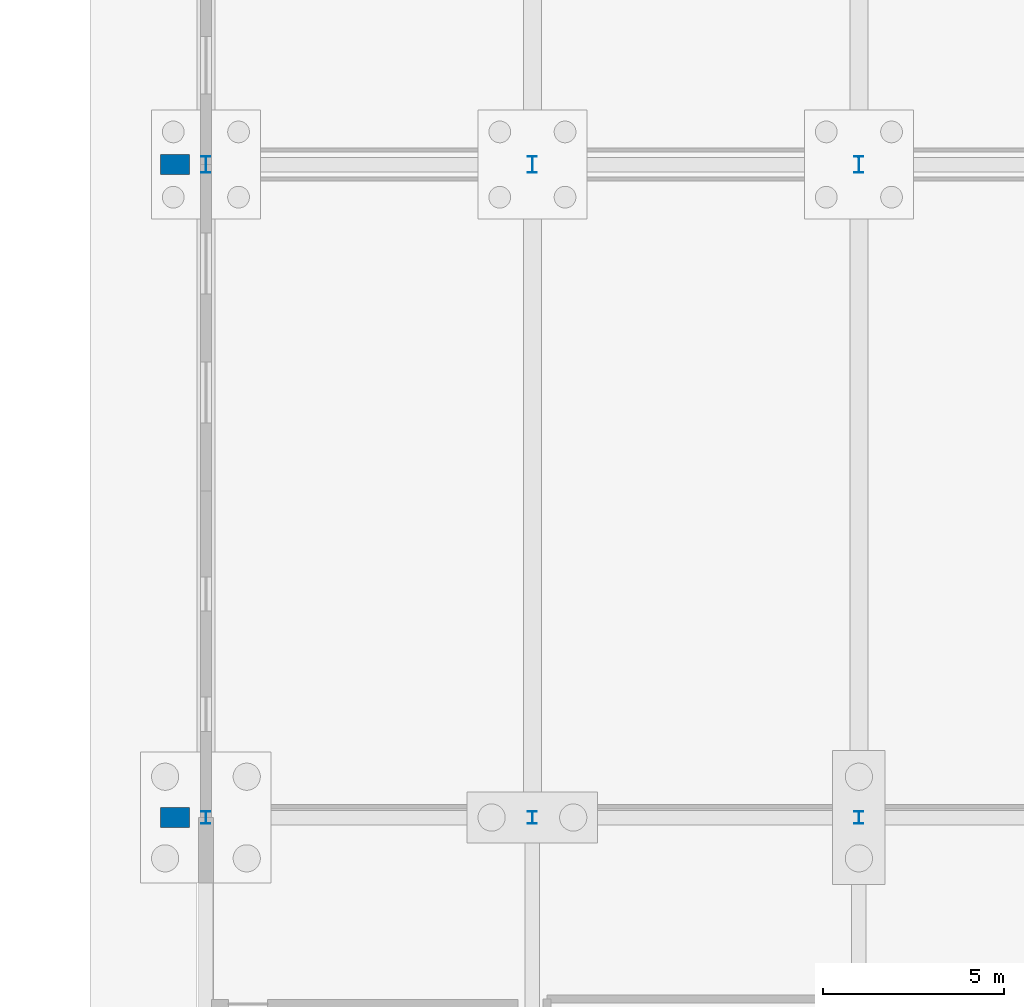
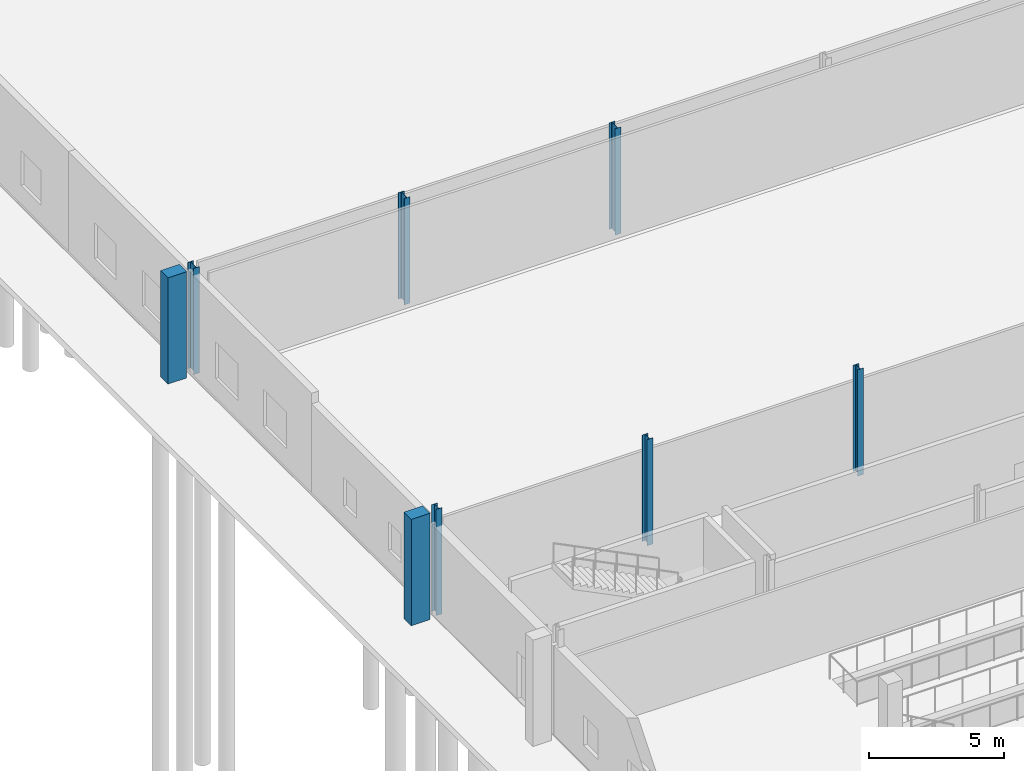
# One storey, part 23 of 112: 8 columns.
"""IFC4 building model written with IfcOpenShell, lengths in metres."""

import ifcopenshell
import ifcopenshell.guid

model = None  # the IFC model being written
_history = None  # IfcOwnerHistory: only IFC2X3 demands one
_inside = {}  # id of a spatial element -> (the spatial element, [elements in it])
_under = {}  # id of a project, library or spatial element -> (it, [spatial elements below it])
_declared = {}  # id of a project -> (the project, [libraries it declares])
_typed = {}  # id of a type object -> (the type object, [elements of that type])
_made_of = {}  # id of a material, layer set ... -> (it, [elements and type objects made of it])


def new_model(schema):
    """Start an empty IFC model of exactly this schema.

    Asked for "IFC4X3", IfcOpenShell would pick the latest addendum, in which some entities
    have other attributes; the version numbers below select the first issue.
    IFC2X3 requires an IfcOwnerHistory on every rooted entity: one is made here for all.
    """
    global model, _history
    if schema == "IFC4X3":
        model = ifcopenshell.file(schema_version=(4, 3, 0, 0))
    else:
        model = ifcopenshell.file(schema=schema)
    _inside.clear()
    _under.clear()
    _declared.clear()
    _typed.clear()
    _made_of.clear()
    _history = None
    if model.schema == "IFC2X3":
        org = make("IfcOrganization", Name="unknown")
        user = make(
            "IfcPersonAndOrganization",
            ThePerson=make("IfcPerson", FamilyName="unknown"),
            TheOrganization=org,
        )
        app = make(
            "IfcApplication",
            ApplicationDeveloper=org,
            Version="unknown",
            ApplicationFullName="unknown",
            ApplicationIdentifier="unknown",
        )
        _history = make(
            "IfcOwnerHistory",
            OwningUser=user,
            OwningApplication=app,
            ChangeAction="ADDED",
            CreationDate=0,
        )
    return model


def make(cls, **values):
    """One entity of the class cls with the attributes given. An attribute that is None is left unset."""
    return model.create_entity(
        cls, **{name: value for name, value in values.items() if value is not None}
    )


def rooted(cls, **values):
    """An entity with a GlobalId (a new one), such as an element, a storey or a relation."""
    return make(cls, GlobalId=ifcopenshell.guid.new(), OwnerHistory=_history, **values)


def si_unit(unit_type, name, prefix=None):
    """IfcSIUnit, for example si_unit("LENGTHUNIT", "METRE", prefix="MILLI")."""
    return make("IfcSIUnit", UnitType=unit_type, Prefix=prefix, Name=name)


def assignment(units):
    """IfcUnitAssignment: the units of a project."""
    return None if units is None else make("IfcUnitAssignment", Units=units)


def point(xyz):
    """IfcCartesianPoint."""
    return None if xyz is None else make("IfcCartesianPoint", Coordinates=xyz)


def direction(xyz):
    """IfcDirection."""
    return None if xyz is None else make("IfcDirection", DirectionRatios=xyz)


def frame(location, z_axis=None, x_axis=None):
    """IfcAxis2Placement3D, a coordinate frame: its origin and axes. An axis left out is left unset."""
    return make(
        "IfcAxis2Placement3D",
        Location=point(location),
        Axis=direction(z_axis),
        RefDirection=direction(x_axis),
    )


def frame_2d(location, x_axis=None):
    """IfcAxis2Placement2D, a coordinate frame in the plane: its origin and x axis."""
    return make(
        "IfcAxis2Placement2D", Location=point(location), RefDirection=direction(x_axis)
    )


def origin():
    """The frame at (0, 0, 0) with its axes left unset."""
    return frame((0.0, 0.0, 0.0))


def origin_2d():
    """The frame at (0, 0) in the plane with its x axis left unset."""
    return frame_2d((0.0, 0.0))


def place(relative_to, where):
    """IfcLocalPlacement: puts the frame where relative to a parent placement (None: the world)."""
    return make(
        "IfcLocalPlacement", PlacementRelTo=relative_to, RelativePlacement=where
    )


def context(
    kind, dimensions, precision=None, world=None, true_north=None, identifier=None
):
    """IfcGeometricRepresentationContext, for example the 3D "Model" context."""
    return make(
        "IfcGeometricRepresentationContext",
        ContextIdentifier=identifier,
        ContextType=kind,
        CoordinateSpaceDimension=dimensions,
        Precision=precision,
        WorldCoordinateSystem=world,
        TrueNorth=true_north,
    )


def subcontext(parent, identifier, kind, view, scale=None):
    """IfcGeometricRepresentationSubContext, for example "Body" below "Model"."""
    return make(
        "IfcGeometricRepresentationSubContext",
        ContextIdentifier=identifier,
        ContextType=kind,
        ParentContext=parent,
        TargetScale=scale,
        TargetView=view,
    )


def project(units=None, contexts=None):
    """IfcProject with its units and contexts."""
    return rooted(
        "IfcProject",
        Name="project",
        RepresentationContexts=contexts,
        UnitsInContext=assignment(units),
    )


def spatial(cls, under=None, at=None, **own):
    """A site, building, storey or space (cls), placed at a placement, below another one or the project."""
    s = rooted(cls, ObjectPlacement=at, **own)
    if under is not None:
        _under.setdefault(under.id(), (under, []))[1].append(s)
    return s


def profile(cls, at=None, kind="AREA", **sizes):
    """A parametric profile (cls). Its sizes go by their IFC names, for example OverallWidth=200.0."""
    return make(cls, ProfileType=kind, Position=at, **sizes)


def rectangle(**sizes):
    """IfcRectangleProfileDef."""
    return profile("IfcRectangleProfileDef", **sizes)


def i_section(**sizes):
    """IfcIShapeProfileDef."""
    return profile("IfcIShapeProfileDef", **sizes)


def extrude(swept, where, along, depth):
    """IfcExtrudedAreaSolid: the profile swept, set in the frame where, extruded along a direction by depth."""
    return make(
        "IfcExtrudedAreaSolid",
        SweptArea=swept,
        Position=where,
        ExtrudedDirection=direction(along),
        Depth=depth,
    )


def shape(context_of_items, identifier, shape_type, items):
    """IfcShapeRepresentation: the items that make up one representation, for example the "Body"."""
    return make(
        "IfcShapeRepresentation",
        ContextOfItems=context_of_items,
        RepresentationIdentifier=identifier,
        RepresentationType=shape_type,
        Items=items,
    )


def material(Name=None, Category=None):
    """IfcMaterial."""
    return make("IfcMaterial", Name=Name, Category=Category)


def material_profile(
    of_material, cross_section, Name=None, Category=None, Priority=None
):
    """IfcMaterialProfile: a cross section and its material."""
    return make(
        "IfcMaterialProfile",
        Name=Name,
        Material=of_material,
        Profile=cross_section,
        Priority=Priority,
        Category=Category,
    )


def profile_set(profiles, Name=None, composite=None):
    """IfcMaterialProfileSet."""
    return make(
        "IfcMaterialProfileSet",
        Name=Name,
        MaterialProfiles=profiles,
        CompositeProfile=composite,
    )


def made_of(thing, what):
    """Note that an element or type object is made of a material, layer set ...; save() writes the relation."""
    if what is not None:
        _made_of.setdefault(what.id(), (what, []))[1].append(thing)
    return thing


def type_object(cls, material=None, **own):
    """A type object (cls), such as IfcWallType, which elements share."""
    return made_of(rooted(cls, **own), material)


def element(
    cls,
    number,
    at=None,
    inside=None,
    cuts=None,
    type_object=None,
    material=None,
    context=None,
    identifier="Body",
    shape_type=None,
    held_by="IfcProductDefinitionShape",
    body=None,
    shapes=None,
    **own,
):
    """One element of the class cls, such as IfcWall. Its Tag is "e" and its number.

    at: its placement. inside: the storey or other place that contains it. cuts: it is an
    opening in that element (IfcRelVoidsElement). A single representation is given by context,
    identifier, shape_type and body (its items); several are given by shapes. held_by: the class
    of the entity that holds the representations. save() writes the other relations.
    """
    e = rooted(cls, Tag="e%d" % number, ObjectPlacement=at, **own)
    if body is not None:
        shapes = [shape(context, identifier, shape_type, body)]
    if shapes is not None:
        e.Representation = make(held_by, Representations=shapes)
    if inside is not None:
        _inside.setdefault(inside.id(), (inside, []))[1].append(e)
    if cuts is not None:
        rooted(
            "IfcRelVoidsElement", RelatingBuildingElement=cuts, RelatedOpeningElement=e
        )
    if type_object is not None:
        _typed.setdefault(type_object.id(), (type_object, []))[1].append(e)
    return made_of(e, material)


def aggregate(whole, parts):
    """IfcRelAggregates: a whole, such as a stair, and the parts it consists of."""
    return rooted("IfcRelAggregates", RelatingObject=whole, RelatedObjects=parts)


def save(model, path):
    """Write the relations noted so far, then the file.

    IfcRelAggregates (storeys below a building ...), IfcRelContainedInSpatialStructure (elements
    in a storey), IfcRelDefinesByType, IfcRelAssociatesMaterial and IfcRelDeclares: one each for
    every whole, place, type object, material and project.
    """
    for whole, parts in _under.values():
        aggregate(whole, parts)
    for where, things in _inside.values():
        rooted(
            "IfcRelContainedInSpatialStructure",
            RelatedElements=things,
            RelatingStructure=where,
        )
    for kind, things in _typed.values():
        rooted("IfcRelDefinesByType", RelatedObjects=things, RelatingType=kind)
    for what, things in _made_of.values():
        rooted("IfcRelAssociatesMaterial", RelatedObjects=things, RelatingMaterial=what)
    for by, libraries in _declared.values():
        rooted("IfcRelDeclares", RelatingContext=by, RelatedDefinitions=libraries)
    model.write(path)


model = new_model("IFC4")

# Units and contexts
model_context = context("Model", 3, precision=1e-05, world=origin(), true_north=direction((0.0, 1.0)))
body_context = subcontext(model_context, "Body", "Model", "MODEL_VIEW")
ifc_project = project(units=[si_unit("LENGTHUNIT", "METRE"), si_unit("AREAUNIT", "SQUARE_METRE"), si_unit("VOLUMEUNIT", "CUBIC_METRE"), si_unit("PLANEANGLEUNIT", "RADIAN"), si_unit("MASSUNIT", "GRAM", prefix="KILO")], contexts=[model_context])

# Site, building, storey
site_placement = place(None, origin())
site = spatial("IfcSite", under=ifc_project, at=site_placement, CompositionType="ELEMENT")
building_placement = place(site_placement, origin())
building = spatial("IfcBuilding", under=site, at=building_placement, Name="Tharagai Park Tramway Depot", CompositionType="ELEMENT")
storey_placement = place(building_placement, origin())
storey = spatial("IfcBuildingStorey", under=building, at=storey_placement, Name="L00", CompositionType="ELEMENT", Elevation=0.0)

# Columns
ifc_material_1 = material(Name="Steel E350", Category="steel")
ifc_material_profile_1 = material_profile(ifc_material_1, i_section(OverallWidth=0.25, OverallDepth=0.449951171875, WebThickness=0.01123046875, FlangeThickness=0.013671875, FilletRadius=0.014892578125, at=origin_2d()), Name="ISHB 450")
ifc_profile_set_1 = profile_set([ifc_material_profile_1], Name="Steel E350")
column_type_1 = type_object("IfcColumnType", Name="CL-01", PredefinedType="COLUMN", material=ifc_profile_set_1)
for number, where, z_axis, x_axis, name in (
    (1, (0.0, 117.0, 0.0), (0.0, 0.0, 1.0), (1.0, 0.0, 0.0), "L00 Structural Column CL-01 (0,117)"),
    (2, (9.0, 117.0, 0.0), (0.0, 0.0, 1.0), (1.0, 0.0, 0.0), "L00 Structural Column CL-01 (9,117)"),
    (3, (18.0, 117.0, 0.0), (0.0, 0.0, 1.0), (1.0, 0.0, 0.0), "L00 Structural Column CL-01 (18,117)"),
):
    element("IfcColumn", number, at=place(storey_placement, frame(where, z_axis=z_axis, x_axis=x_axis)), inside=storey, type_object=column_type_1, Name=name, PredefinedType="COLUMN", context=body_context, shape_type="SweptSolid", body=[
        extrude(i_section(OverallWidth=0.25, OverallDepth=0.449951171875, WebThickness=0.01123046875, FlangeThickness=0.013671875, FilletRadius=0.014892578125, at=origin_2d()), origin(), (0.0, 0.0, 1.0), 4.800048828125),
    ])
ifc_material_profile_2 = material_profile(ifc_material_1, i_section(OverallWidth=0.25, OverallDepth=0.35009765625, WebThickness=0.010009765625, FlangeThickness=0.01171875, FilletRadius=0.011962890625, at=origin_2d()), Name="ISHB 350")
ifc_profile_set_2 = profile_set([ifc_material_profile_2], Name="Steel E350")
column_type_2 = type_object("IfcColumnType", Name="CL-09", PredefinedType="COLUMN", material=ifc_profile_set_2)
for number, where, z_axis, x_axis, name in (
    (4, (0.0, 99.0, 0.0), (0.0, 0.0, 1.0), (1.0, 0.0, 0.0), "L00 Structural Column CL-09 (0,99)"),
    (5, (9.0, 99.0, 0.0), (0.0, 0.0, 1.0), (1.0, 0.0, 0.0), "L00 Structural Column CL-09 (9,99)"),
    (6, (18.0, 99.0, 0.0), (0.0, 0.0, 1.0), (1.0, 0.0, 0.0), "L00 Structural Column CL-09 (18,99)"),
):
    element("IfcColumn", number, at=place(storey_placement, frame(where, z_axis=z_axis, x_axis=x_axis)), inside=storey, type_object=column_type_2, Name=name, PredefinedType="COLUMN", context=body_context, shape_type="SweptSolid", body=[
        extrude(i_section(OverallWidth=0.25, OverallDepth=0.35009765625, WebThickness=0.010009765625, FlangeThickness=0.01171875, FilletRadius=0.011962890625, at=origin_2d()), origin(), (0.0, 0.0, 1.0), 4.800048828125),
    ])
ifc_material_2 = material(Name="Concrete M40", Category="concrete")
ifc_material_profile_3 = material_profile(ifc_material_2, rectangle(XDim=0.550048828125, YDim=0.800048828125, at=origin_2d()), Name="RC 550x800")
ifc_profile_set_3 = profile_set([ifc_material_profile_3], Name="Concrete M40")
column_type_3 = type_object("IfcColumnType", Name="PL-02", PredefinedType="PILASTER", material=ifc_profile_set_3)
for number, where, z_axis, x_axis, name in (
    (7, (-0.85009765625, 99.0, 0.0), (0.0, 0.0, 1.0), (0.0, 1.0, 0.0), "L00 Stepped Gothic Buttress PL-02 W-099"),
    (8, (-0.85009765625, 117.0, 0.0), (0.0, 0.0, 1.0), (0.0, 1.0, 0.0), "L00 Stepped Gothic Buttress PL-02 W-117"),
):
    element("IfcColumn", number, at=place(storey_placement, frame(where, z_axis=z_axis, x_axis=x_axis)), inside=storey, type_object=column_type_3, Name=name, PredefinedType="PILASTER", context=body_context, shape_type="SweptSolid", body=[
        extrude(rectangle(XDim=0.550048828125, YDim=0.800048828125, at=origin_2d()), origin(), (0.0, 0.0, 1.0), 4.800048828125),
    ])

save(model, "model.ifc")
